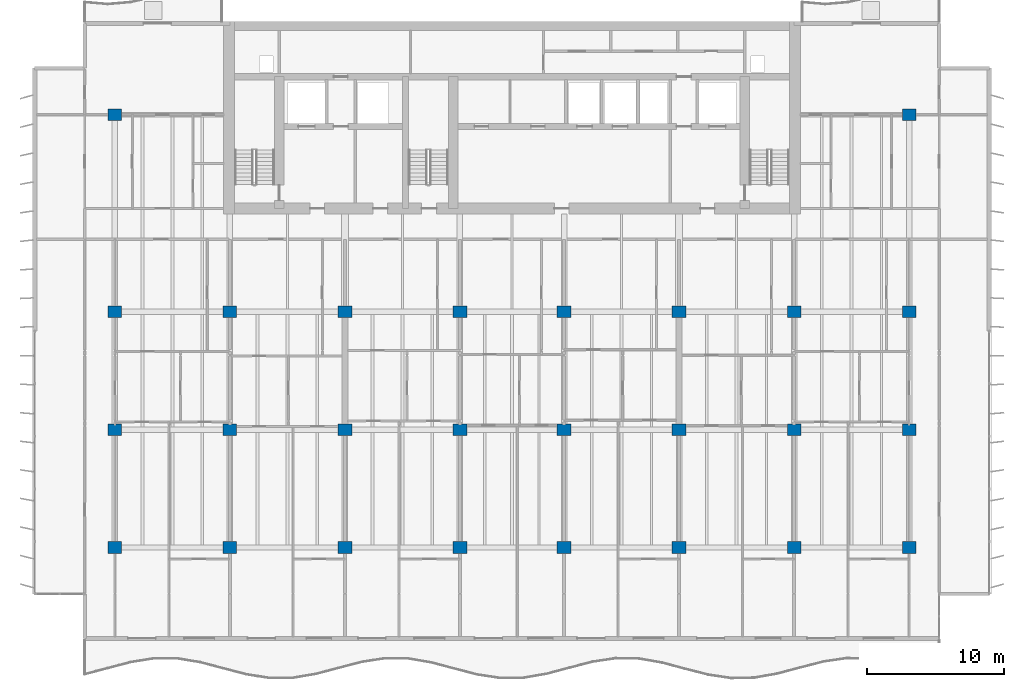
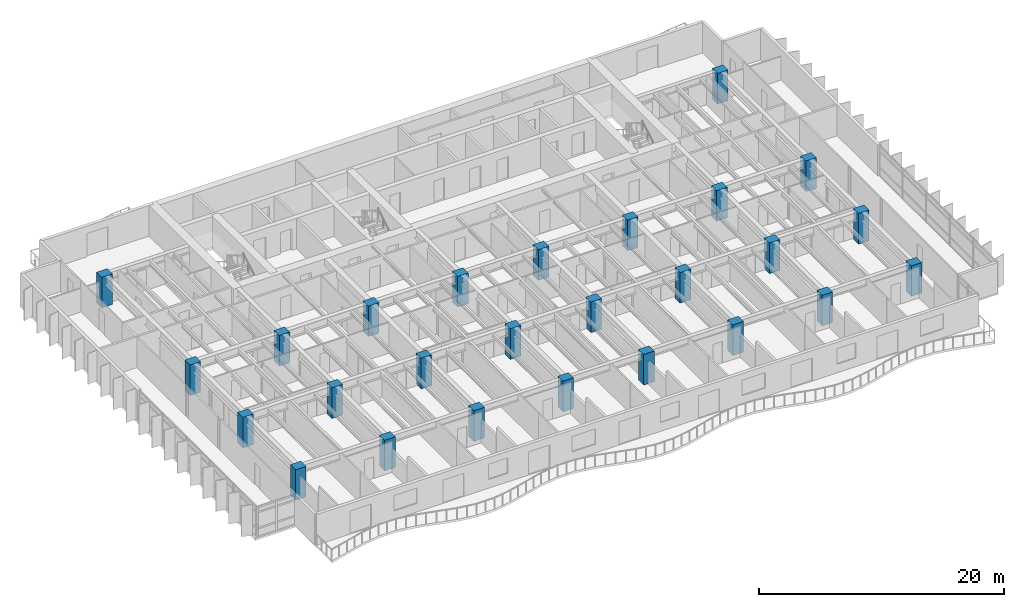
# One storey, part 1 of 18: 26 columns.
"""IFC4 building model written with IfcOpenShell, lengths in metres."""

from ifc_helpers import new_model, si_unit, direction, frame, origin, origin_2d, place, context, subcontext, project, spatial, rectangle, extrude, material, material_profile, profile_set, type_object, element, save


model = new_model("IFC4")

# Units and contexts
model_context = context("Model", 3, precision=1e-05, world=origin(), true_north=direction((0.0, 1.0)))
body_context = subcontext(model_context, "Body", "Model", "MODEL_VIEW")
ifc_project = project(units=[si_unit("LENGTHUNIT", "METRE"), si_unit("AREAUNIT", "SQUARE_METRE"), si_unit("VOLUMEUNIT", "CUBIC_METRE"), si_unit("PLANEANGLEUNIT", "RADIAN"), si_unit("MASSUNIT", "GRAM", prefix="KILO")], contexts=[model_context])

# Site, building, storey
site_placement = place(None, origin())
site = spatial("IfcSite", under=ifc_project, at=site_placement, CompositionType="ELEMENT")
building_placement = place(site_placement, origin())
building = spatial("IfcBuilding", under=site, at=building_placement, Name="Caelmar Bay Residences", CompositionType="ELEMENT")
storey_placement = place(building_placement, frame((0.0, 0.0, 122.39990234375)))
storey = spatial("IfcBuildingStorey", under=building, at=storey_placement, Name="L33", CompositionType="ELEMENT", Elevation=122.39990234375)

# Columns
ifc_material = material(Name="Concrete f'c 70 MPa (10,000 psi)", Category="concrete")
ifc_material_profile = material_profile(ifc_material, rectangle(XDim=1.0, YDim=0.85009765625, at=origin_2d()), Name="RC-COL-1000X850")
ifc_profile_set = profile_set([ifc_material_profile], Name="Concrete f'c 70 MPa (10,000 psi)")
column_type = type_object("IfcColumnType", Name="COL-RC-1000X850", PredefinedType="COLUMN", material=ifc_profile_set)
for number, where, z_axis, x_axis, name in (
    (1, (9.89990234375, 12.199951171875, 0.0), (0.0, 0.0, 1.0), (1.0, 0.0, 0.0), "L33 Column (9.90,12.20)"),
    (2, (18.300048828125, 12.199951171875, 0.0), (0.0, 0.0, 1.0), (1.0, 0.0, 0.0), "L33 Column (18.30,12.20)"),
    (3, (26.699951171875, 12.199951171875, 0.0), (0.0, 0.0, 1.0), (1.0, 0.0, 0.0), "L33 Column (26.70,12.20)"),
    (4, (35.10009765625, 12.199951171875, 0.0), (0.0, 0.0, 1.0), (1.0, 0.0, 0.0), "L33 Column (35.10,12.20)"),
    (5, (42.699951171875, 12.199951171875, 0.0), (0.0, 0.0, 1.0), (1.0, 0.0, 0.0), "L33 Column (42.70,12.20)"),
    (6, (51.10009765625, 12.199951171875, 0.0), (0.0, 0.0, 1.0), (1.0, 0.0, 0.0), "L33 Column (51.10,12.20)"),
    (7, (59.5, 12.199951171875, 0.0), (0.0, 0.0, 1.0), (1.0, 0.0, 0.0), "L33 Column (59.50,12.20)"),
    (8, (67.89990234375, 12.199951171875, 0.0), (0.0, 0.0, 1.0), (1.0, 0.0, 0.0), "L33 Column (67.90,12.20)"),
    (9, (9.89990234375, 20.800048828125, 0.0), (0.0, 0.0, 1.0), (1.0, 0.0, 0.0), "L33 Column (9.90,20.80)"),
    (10, (18.300048828125, 20.800048828125, 0.0), (0.0, 0.0, 1.0), (1.0, 0.0, 0.0), "L33 Column (18.30,20.80)"),
    (11, (26.699951171875, 20.800048828125, 0.0), (0.0, 0.0, 1.0), (1.0, 0.0, 0.0), "L33 Column (26.70,20.80)"),
    (12, (35.10009765625, 20.800048828125, 0.0), (0.0, 0.0, 1.0), (1.0, 0.0, 0.0), "L33 Column (35.10,20.80)"),
    (13, (42.699951171875, 20.800048828125, 0.0), (0.0, 0.0, 1.0), (1.0, 0.0, 0.0), "L33 Column (42.70,20.80)"),
    (14, (51.10009765625, 20.800048828125, 0.0), (0.0, 0.0, 1.0), (1.0, 0.0, 0.0), "L33 Column (51.10,20.80)"),
    (15, (59.5, 20.800048828125, 0.0), (0.0, 0.0, 1.0), (1.0, 0.0, 0.0), "L33 Column (59.50,20.80)"),
    (16, (67.89990234375, 20.800048828125, 0.0), (0.0, 0.0, 1.0), (1.0, 0.0, 0.0), "L33 Column (67.90,20.80)"),
    (17, (9.89990234375, 29.39990234375, 0.0), (0.0, 0.0, 1.0), (1.0, 0.0, 0.0), "L33 Column (9.90,29.40)"),
    (18, (18.300048828125, 29.39990234375, 0.0), (0.0, 0.0, 1.0), (1.0, 0.0, 0.0), "L33 Column (18.30,29.40)"),
    (19, (26.699951171875, 29.39990234375, 0.0), (0.0, 0.0, 1.0), (1.0, 0.0, 0.0), "L33 Column (26.70,29.40)"),
    (20, (35.10009765625, 29.39990234375, 0.0), (0.0, 0.0, 1.0), (1.0, 0.0, 0.0), "L33 Column (35.10,29.40)"),
    (21, (42.699951171875, 29.39990234375, 0.0), (0.0, 0.0, 1.0), (1.0, 0.0, 0.0), "L33 Column (42.70,29.40)"),
    (22, (51.10009765625, 29.39990234375, 0.0), (0.0, 0.0, 1.0), (1.0, 0.0, 0.0), "L33 Column (51.10,29.40)"),
    (23, (59.5, 29.39990234375, 0.0), (0.0, 0.0, 1.0), (1.0, 0.0, 0.0), "L33 Column (59.50,29.40)"),
    (24, (67.89990234375, 29.39990234375, 0.0), (0.0, 0.0, 1.0), (1.0, 0.0, 0.0), "L33 Column (67.90,29.40)"),
    (25, (9.89990234375, 43.800048828125, 0.0), (0.0, 0.0, 1.0), (1.0, 0.0, 0.0), "L33 Column (9.90,43.80)"),
    (26, (67.89990234375, 43.800048828125, 0.0), (0.0, 0.0, 1.0), (1.0, 0.0, 0.0), "L33 Column (67.90,43.80)"),
):
    element("IfcColumn", number, at=place(storey_placement, frame(where, z_axis=z_axis, x_axis=x_axis)), inside=storey, type_object=column_type, Name=name, PredefinedType="COLUMN", context=body_context, shape_type="SweptSolid", body=[
        extrude(rectangle(XDim=1.0, YDim=0.85009765625, at=origin_2d()), origin(), (0.0, 0.0, 1.0), 3.050048828125),
    ])

save(model, "model.ifc")
